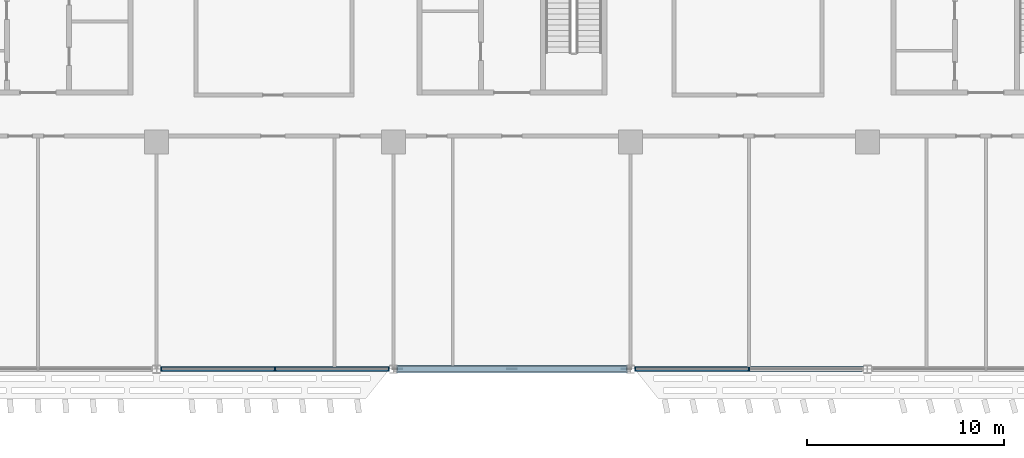
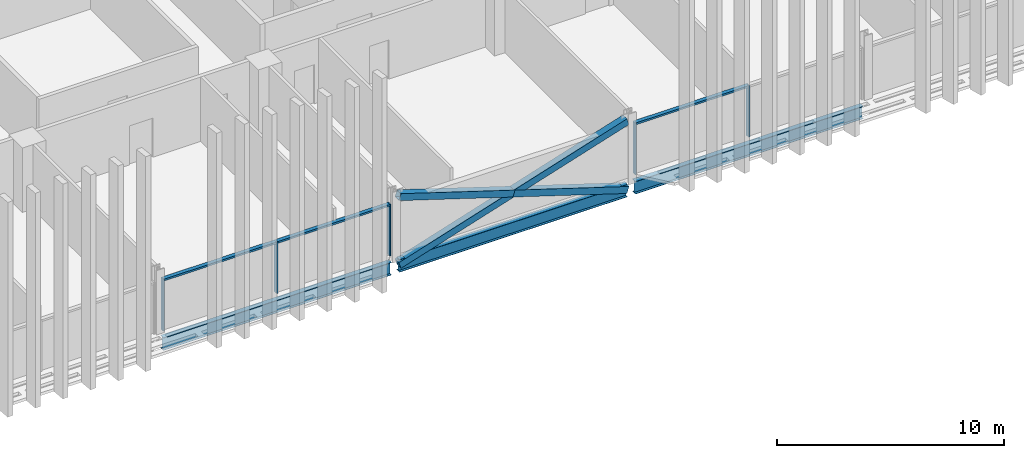
# One storey, part 5 of 28: 11 members, 3 beams, 2 elements without a shape of their own.
"""IFC4 building model written with IfcOpenShell, lengths in metres."""

import ifcopenshell
import ifcopenshell.guid

model = None  # the IFC model being written
_history = None  # IfcOwnerHistory: only IFC2X3 demands one
_inside = {}  # id of a spatial element -> (the spatial element, [elements in it])
_under = {}  # id of a project, library or spatial element -> (it, [spatial elements below it])
_declared = {}  # id of a project -> (the project, [libraries it declares])
_typed = {}  # id of a type object -> (the type object, [elements of that type])
_made_of = {}  # id of a material, layer set ... -> (it, [elements and type objects made of it])


def new_model(schema):
    """Start an empty IFC model of exactly this schema.

    Asked for "IFC4X3", IfcOpenShell would pick the latest addendum, in which some entities
    have other attributes; the version numbers below select the first issue.
    IFC2X3 requires an IfcOwnerHistory on every rooted entity: one is made here for all.
    """
    global model, _history
    if schema == "IFC4X3":
        model = ifcopenshell.file(schema_version=(4, 3, 0, 0))
    else:
        model = ifcopenshell.file(schema=schema)
    _inside.clear()
    _under.clear()
    _declared.clear()
    _typed.clear()
    _made_of.clear()
    _history = None
    if model.schema == "IFC2X3":
        org = make("IfcOrganization", Name="unknown")
        user = make(
            "IfcPersonAndOrganization",
            ThePerson=make("IfcPerson", FamilyName="unknown"),
            TheOrganization=org,
        )
        app = make(
            "IfcApplication",
            ApplicationDeveloper=org,
            Version="unknown",
            ApplicationFullName="unknown",
            ApplicationIdentifier="unknown",
        )
        _history = make(
            "IfcOwnerHistory",
            OwningUser=user,
            OwningApplication=app,
            ChangeAction="ADDED",
            CreationDate=0,
        )
    return model


def make(cls, **values):
    """One entity of the class cls with the attributes given. An attribute that is None is left unset."""
    return model.create_entity(
        cls, **{name: value for name, value in values.items() if value is not None}
    )


def rooted(cls, **values):
    """An entity with a GlobalId (a new one), such as an element, a storey or a relation."""
    return make(cls, GlobalId=ifcopenshell.guid.new(), OwnerHistory=_history, **values)


def si_unit(unit_type, name, prefix=None):
    """IfcSIUnit, for example si_unit("LENGTHUNIT", "METRE", prefix="MILLI")."""
    return make("IfcSIUnit", UnitType=unit_type, Prefix=prefix, Name=name)


def assignment(units):
    """IfcUnitAssignment: the units of a project."""
    return None if units is None else make("IfcUnitAssignment", Units=units)


def point(xyz):
    """IfcCartesianPoint."""
    return None if xyz is None else make("IfcCartesianPoint", Coordinates=xyz)


def direction(xyz):
    """IfcDirection."""
    return None if xyz is None else make("IfcDirection", DirectionRatios=xyz)


def frame(location, z_axis=None, x_axis=None):
    """IfcAxis2Placement3D, a coordinate frame: its origin and axes. An axis left out is left unset."""
    return make(
        "IfcAxis2Placement3D",
        Location=point(location),
        Axis=direction(z_axis),
        RefDirection=direction(x_axis),
    )


def frame_2d(location, x_axis=None):
    """IfcAxis2Placement2D, a coordinate frame in the plane: its origin and x axis."""
    return make(
        "IfcAxis2Placement2D", Location=point(location), RefDirection=direction(x_axis)
    )


def origin():
    """The frame at (0, 0, 0) with its axes left unset."""
    return frame((0.0, 0.0, 0.0))


def origin_2d():
    """The frame at (0, 0) in the plane with its x axis left unset."""
    return frame_2d((0.0, 0.0))


def place(relative_to, where):
    """IfcLocalPlacement: puts the frame where relative to a parent placement (None: the world)."""
    return make(
        "IfcLocalPlacement", PlacementRelTo=relative_to, RelativePlacement=where
    )


def context(
    kind, dimensions, precision=None, world=None, true_north=None, identifier=None
):
    """IfcGeometricRepresentationContext, for example the 3D "Model" context."""
    return make(
        "IfcGeometricRepresentationContext",
        ContextIdentifier=identifier,
        ContextType=kind,
        CoordinateSpaceDimension=dimensions,
        Precision=precision,
        WorldCoordinateSystem=world,
        TrueNorth=true_north,
    )


def subcontext(parent, identifier, kind, view, scale=None):
    """IfcGeometricRepresentationSubContext, for example "Body" below "Model"."""
    return make(
        "IfcGeometricRepresentationSubContext",
        ContextIdentifier=identifier,
        ContextType=kind,
        ParentContext=parent,
        TargetScale=scale,
        TargetView=view,
    )


def project(units=None, contexts=None):
    """IfcProject with its units and contexts."""
    return rooted(
        "IfcProject",
        Name="project",
        RepresentationContexts=contexts,
        UnitsInContext=assignment(units),
    )


def spatial(cls, under=None, at=None, **own):
    """A site, building, storey or space (cls), placed at a placement, below another one or the project."""
    s = rooted(cls, ObjectPlacement=at, **own)
    if under is not None:
        _under.setdefault(under.id(), (under, []))[1].append(s)
    return s


def profile(cls, at=None, kind="AREA", **sizes):
    """A parametric profile (cls). Its sizes go by their IFC names, for example OverallWidth=200.0."""
    return make(cls, ProfileType=kind, Position=at, **sizes)


def rectangle(**sizes):
    """IfcRectangleProfileDef."""
    return profile("IfcRectangleProfileDef", **sizes)


def hollow_rectangle(**sizes):
    """IfcRectangleHollowProfileDef."""
    return profile("IfcRectangleHollowProfileDef", **sizes)


def i_section(**sizes):
    """IfcIShapeProfileDef."""
    return profile("IfcIShapeProfileDef", **sizes)


def extrude(swept, where, along, depth):
    """IfcExtrudedAreaSolid: the profile swept, set in the frame where, extruded along a direction by depth."""
    return make(
        "IfcExtrudedAreaSolid",
        SweptArea=swept,
        Position=where,
        ExtrudedDirection=direction(along),
        Depth=depth,
    )


def shape(context_of_items, identifier, shape_type, items):
    """IfcShapeRepresentation: the items that make up one representation, for example the "Body"."""
    return make(
        "IfcShapeRepresentation",
        ContextOfItems=context_of_items,
        RepresentationIdentifier=identifier,
        RepresentationType=shape_type,
        Items=items,
    )


def material(Name=None, Category=None):
    """IfcMaterial."""
    return make("IfcMaterial", Name=Name, Category=Category)


def material_profile(
    of_material, cross_section, Name=None, Category=None, Priority=None
):
    """IfcMaterialProfile: a cross section and its material."""
    return make(
        "IfcMaterialProfile",
        Name=Name,
        Material=of_material,
        Profile=cross_section,
        Priority=Priority,
        Category=Category,
    )


def profile_set(profiles, Name=None, composite=None):
    """IfcMaterialProfileSet."""
    return make(
        "IfcMaterialProfileSet",
        Name=Name,
        MaterialProfiles=profiles,
        CompositeProfile=composite,
    )


def made_of(thing, what):
    """Note that an element or type object is made of a material, layer set ...; save() writes the relation."""
    if what is not None:
        _made_of.setdefault(what.id(), (what, []))[1].append(thing)
    return thing


def type_object(cls, material=None, **own):
    """A type object (cls), such as IfcWallType, which elements share."""
    return made_of(rooted(cls, **own), material)


def element(
    cls,
    number,
    at=None,
    inside=None,
    cuts=None,
    type_object=None,
    material=None,
    context=None,
    identifier="Body",
    shape_type=None,
    held_by="IfcProductDefinitionShape",
    body=None,
    shapes=None,
    **own,
):
    """One element of the class cls, such as IfcWall. Its Tag is "e" and its number.

    at: its placement. inside: the storey or other place that contains it. cuts: it is an
    opening in that element (IfcRelVoidsElement). A single representation is given by context,
    identifier, shape_type and body (its items); several are given by shapes. held_by: the class
    of the entity that holds the representations. save() writes the other relations.
    """
    e = rooted(cls, Tag="e%d" % number, ObjectPlacement=at, **own)
    if body is not None:
        shapes = [shape(context, identifier, shape_type, body)]
    if shapes is not None:
        e.Representation = make(held_by, Representations=shapes)
    if inside is not None:
        _inside.setdefault(inside.id(), (inside, []))[1].append(e)
    if cuts is not None:
        rooted(
            "IfcRelVoidsElement", RelatingBuildingElement=cuts, RelatedOpeningElement=e
        )
    if type_object is not None:
        _typed.setdefault(type_object.id(), (type_object, []))[1].append(e)
    return made_of(e, material)


def aggregate(whole, parts):
    """IfcRelAggregates: a whole, such as a stair, and the parts it consists of."""
    return rooted("IfcRelAggregates", RelatingObject=whole, RelatedObjects=parts)


def save(model, path):
    """Write the relations noted so far, then the file.

    IfcRelAggregates (storeys below a building ...), IfcRelContainedInSpatialStructure (elements
    in a storey), IfcRelDefinesByType, IfcRelAssociatesMaterial and IfcRelDeclares: one each for
    every whole, place, type object, material and project.
    """
    for whole, parts in _under.values():
        aggregate(whole, parts)
    for where, things in _inside.values():
        rooted(
            "IfcRelContainedInSpatialStructure",
            RelatedElements=things,
            RelatingStructure=where,
        )
    for kind, things in _typed.values():
        rooted("IfcRelDefinesByType", RelatedObjects=things, RelatingType=kind)
    for what, things in _made_of.values():
        rooted("IfcRelAssociatesMaterial", RelatedObjects=things, RelatingMaterial=what)
    for by, libraries in _declared.values():
        rooted("IfcRelDeclares", RelatingContext=by, RelatedDefinitions=libraries)
    model.write(path)


model = new_model("IFC4")

# Units and contexts
model_context = context("Model", 3, precision=1e-05, world=origin(), true_north=direction((0.0, 1.0)))
body_context = subcontext(model_context, "Body", "Model", "MODEL_VIEW")
ifc_project = project(units=[si_unit("LENGTHUNIT", "METRE"), si_unit("AREAUNIT", "SQUARE_METRE"), si_unit("VOLUMEUNIT", "CUBIC_METRE"), si_unit("PLANEANGLEUNIT", "RADIAN"), si_unit("MASSUNIT", "GRAM", prefix="KILO")], contexts=[model_context])

# Site, building, storey
site_placement = place(None, origin())
site = spatial("IfcSite", under=ifc_project, at=site_placement, CompositionType="ELEMENT")
building_placement = place(site_placement, origin())
building = spatial("IfcBuilding", under=site, at=building_placement, Name="Mahtab Terrace Research Tower", CompositionType="ELEMENT")
storey_placement = place(building_placement, frame((0.0, 0.0, 174.39990234375)))
storey = spatial("IfcBuildingStorey", under=building, at=storey_placement, Name="L41", CompositionType="ELEMENT", Elevation=174.39990234375)

# Members
ifc_material_1 = material(Name="Steel ASTM A500 Gr C", Category="steel")
ifc_material_profile_1 = material_profile(ifc_material_1, hollow_rectangle(XDim=0.355712890625, YDim=0.355712890625, WallThickness=0.015869140625, at=origin_2d()), Name="HSS14X14X5/8")
ifc_profile_set_1 = profile_set([ifc_material_profile_1], Name="Steel ASTM A500 Gr C")
member_type_1 = type_object("IfcMemberType", Name="HSS 14x14x5/8 brace XB141458", PredefinedType="BRACE", material=ifc_profile_set_1)
member_1_placement = place(storey_placement, frame((-5.796875, -23.0, -0.61474609375), z_axis=(0.953341454971, 0.0, 0.301894137463), x_axis=(0.0, 1.0, 0.0)))
element("IfcMember", 1, at=member_1_placement, inside=storey, type_object=member_type_1, Name="Exoskeleton brace L41 15 a", PredefinedType="BRACE", context=body_context, shape_type="SweptSolid", body=[
    extrude(hollow_rectangle(XDim=0.355712890625, YDim=0.355712890625, WallThickness=0.015869140625, at=origin_2d()), origin(), (0.0, 0.0, 1.0), 12.1611328125),
])
for number, where, z_axis, x_axis, name in (
    (2, (5.796875, -23.0, -0.61474609375), (-0.953341454971, 0.0, 0.301894137463), (0.0, -1.0, 0.0), "Exoskeleton brace L41 15 b1"),
    (3, (0.0, -23.0, 1.220947265625), (-0.953341454971, 0.0, 0.301894137463), (0.0, -1.0, 0.0), "Exoskeleton brace L41 15 b2"),
):
    element("IfcMember", number, at=place(storey_placement, frame(where, z_axis=z_axis, x_axis=x_axis)), inside=storey, type_object=member_type_1, Name=name, PredefinedType="BRACE", context=body_context, shape_type="SweptSolid", body=[
        extrude(hollow_rectangle(XDim=0.355712890625, YDim=0.355712890625, WallThickness=0.015869140625, at=origin_2d()), origin(), (0.0, 0.0, 1.0), 6.08056640625),
    ])

# Curtain wall, members
ifc_material_2 = material(Name="Laboratory ribbon curtain wall")
curtain_wall_type = type_object("IfcCurtainWallType", Name="Laboratory ribbon curtain wall", PredefinedType="NOTDEFINED", material=ifc_material_2)
curtain_wall_1_placement = place(storey_placement, origin())
curtain_wall_1 = element("IfcCurtainWall", 4, at=curtain_wall_1_placement, inside=storey, type_object=curtain_wall_type, Name="EN.L41.13.25", PredefinedType="NOTDEFINED")
ifc_material_3 = material(Name="Natural anodised aluminium", Category="aluminium")
ifc_material_profile_2 = material_profile(ifc_material_3, rectangle(XDim=0.199951171875, YDim=0.06494140625, at=origin_2d()), Name="MULLION 65x200")
ifc_profile_set_2 = profile_set([ifc_material_profile_2], Name="Natural anodised aluminium")
member_type_2 = type_object("IfcMemberType", Name="Laboratory ribbon curtain wall mullion", PredefinedType="MULLION", material=ifc_profile_set_2)
member_2_placement = place(storey_placement, frame((-17.759521484375, -23.0, 0.0), z_axis=(0.0, 0.0, 1.0), x_axis=(0.0, 1.0, 0.0)))
member_2 = element("IfcMember", 5, at=member_2_placement, type_object=member_type_2, Name="CWL-5 mullion 1", PredefinedType="MULLION", context=body_context, shape_type="SweptSolid", body=[
    extrude(rectangle(XDim=0.199951171875, YDim=0.06494140625, at=origin_2d()), origin(), (0.0, 0.0, 1.0), 2.781982421875),
])
member_3_placement = place(storey_placement, frame((-12.0, -23.0, 0.0), z_axis=(0.0, 0.0, 1.0), x_axis=(0.0, 1.0, 0.0)))
member_3 = element("IfcMember", 6, at=member_3_placement, type_object=member_type_2, Name="CWL-5 mullion 2", PredefinedType="MULLION", context=body_context, shape_type="SweptSolid", body=[
    extrude(rectangle(XDim=0.199951171875, YDim=0.06494140625, at=origin_2d()), origin(), (0.0, 0.0, 1.0), 2.781982421875),
])
member_4_placement = place(storey_placement, frame((-6.240478515625, -23.0, 0.0), z_axis=(0.0, 0.0, 1.0), x_axis=(0.0, 1.0, 0.0)))
member_4 = element("IfcMember", 7, at=member_4_placement, type_object=member_type_2, Name="CWL-5 mullion 3", PredefinedType="MULLION", context=body_context, shape_type="SweptSolid", body=[
    extrude(rectangle(XDim=0.199951171875, YDim=0.06494140625, at=origin_2d()), origin(), (0.0, 0.0, 1.0), 2.781982421875),
])

curtain_wall_2_placement = place(storey_placement, origin())
curtain_wall_2 = element("IfcCurtainWall", 8, at=curtain_wall_2_placement, inside=storey, type_object=curtain_wall_type, Name="EN.L41.13.27", PredefinedType="NOTDEFINED")
member_5_placement = place(storey_placement, frame((6.240478515625, -23.0, 0.0), z_axis=(0.0, 0.0, 1.0), x_axis=(0.0, 1.0, 0.0)))
member_5 = element("IfcMember", 9, at=member_5_placement, type_object=member_type_2, Name="CWL-5 mullion 1", PredefinedType="MULLION", context=body_context, shape_type="SweptSolid", body=[
    extrude(rectangle(XDim=0.199951171875, YDim=0.06494140625, at=origin_2d()), origin(), (0.0, 0.0, 1.0), 2.781982421875),
])
member_6_placement = place(storey_placement, frame((12.0, -23.0, 0.0), z_axis=(0.0, 0.0, 1.0), x_axis=(0.0, 1.0, 0.0)))
member_6 = element("IfcMember", 10, at=member_6_placement, type_object=member_type_2, Name="CWL-5 mullion 2", PredefinedType="MULLION", context=body_context, shape_type="SweptSolid", body=[
    extrude(rectangle(XDim=0.199951171875, YDim=0.06494140625, at=origin_2d()), origin(), (0.0, 0.0, 1.0), 2.781982421875),
])

# Member
ifc_material_profile_3 = material_profile(ifc_material_3, rectangle(XDim=0.199951171875, YDim=0.10009765625, at=origin_2d()), Name="TRANSOM 100x200")
ifc_profile_set_3 = profile_set([ifc_material_profile_3], Name="Natural anodised aluminium")
member_type_3 = type_object("IfcMemberType", Name="Laboratory ribbon curtain wall transom", PredefinedType="USERDEFINED", material=ifc_profile_set_3)
member_7_placement = place(storey_placement, frame((-17.72705078125, -23.0, 2.73193359375), z_axis=(1.0, 0.0, 0.0), x_axis=(0.0, 1.0, 0.0)))
member_7 = element("IfcMember", 11, at=member_7_placement, type_object=member_type_3, Name="CWL-5 transom 1", ObjectType="TRANSOM", PredefinedType="USERDEFINED", context=body_context, shape_type="SweptSolid", body=[
    extrude(rectangle(XDim=0.199951171875, YDim=0.10009765625, at=origin_2d()), origin(), (0.0, 0.0, 1.0), 5.694580078125),
])

member_8_placement = place(storey_placement, frame((-11.967529296875, -23.0, 2.73193359375), z_axis=(1.0, 0.0, 0.0), x_axis=(0.0, 1.0, 0.0)))
member_8 = element("IfcMember", 12, at=member_8_placement, type_object=member_type_3, Name="CWL-5 transom 2", ObjectType="TRANSOM", PredefinedType="USERDEFINED", context=body_context, shape_type="SweptSolid", body=[
    extrude(rectangle(XDim=0.199951171875, YDim=0.10009765625, at=origin_2d()), origin(), (0.0, 0.0, 1.0), 5.694580078125),
])

aggregate(curtain_wall_1, [member_2, member_3, member_4, member_7, member_8])

member_9_placement = place(storey_placement, frame((6.27294921875, -23.0, 2.73193359375), z_axis=(1.0, 0.0, 0.0), x_axis=(0.0, 1.0, 0.0)))
member_9 = element("IfcMember", 13, at=member_9_placement, type_object=member_type_3, Name="CWL-5 transom 1", ObjectType="TRANSOM", PredefinedType="USERDEFINED", context=body_context, shape_type="SweptSolid", body=[
    extrude(rectangle(XDim=0.199951171875, YDim=0.10009765625, at=origin_2d()), origin(), (0.0, 0.0, 1.0), 5.694580078125),
])

aggregate(curtain_wall_2, [member_5, member_6, member_9])

# Beams
ifc_material_4 = material(Name="Steel ASTM A992 Gr 50", Category="steel")
ifc_material_profile_4 = material_profile(ifc_material_4, i_section(OverallWidth=0.25390625, OverallDepth=0.67822265625, WebThickness=0.01171875, FlangeThickness=0.016357421875, at=origin_2d()), Name="W27X84")
ifc_profile_set_4 = profile_set([ifc_material_profile_4], Name="Steel ASTM A992 Gr 50")
beam_type = type_object("IfcBeamType", Name="W27x84 beam BS2784", PredefinedType="BEAM", material=ifc_profile_set_4)
for number, where, z_axis, x_axis, name in (
    (14, (-17.796875, -23.0, -0.678955078125), (1.0, 0.0, 0.0), (0.0, 1.0, 0.0), "Spandrel beam L41 14"),
    (15, (-5.796875, -23.0, -0.678955078125), (1.0, 0.0, 0.0), (0.0, 1.0, 0.0), "Spandrel beam L41 15"),
    (16, (6.203125, -23.0, -0.678955078125), (1.0, 0.0, 0.0), (0.0, 1.0, 0.0), "Spandrel beam L41 16"),
):
    element("IfcBeam", number, at=place(storey_placement, frame(where, z_axis=z_axis, x_axis=x_axis)), inside=storey, type_object=beam_type, Name=name, PredefinedType="BEAM", context=body_context, shape_type="SweptSolid", body=[
        extrude(i_section(OverallWidth=0.25390625, OverallDepth=0.67822265625, WebThickness=0.01171875, FlangeThickness=0.016357421875, at=origin_2d()), origin(), (0.0, 0.0, 1.0), 11.59375),
    ])

save(model, "model.ifc")
